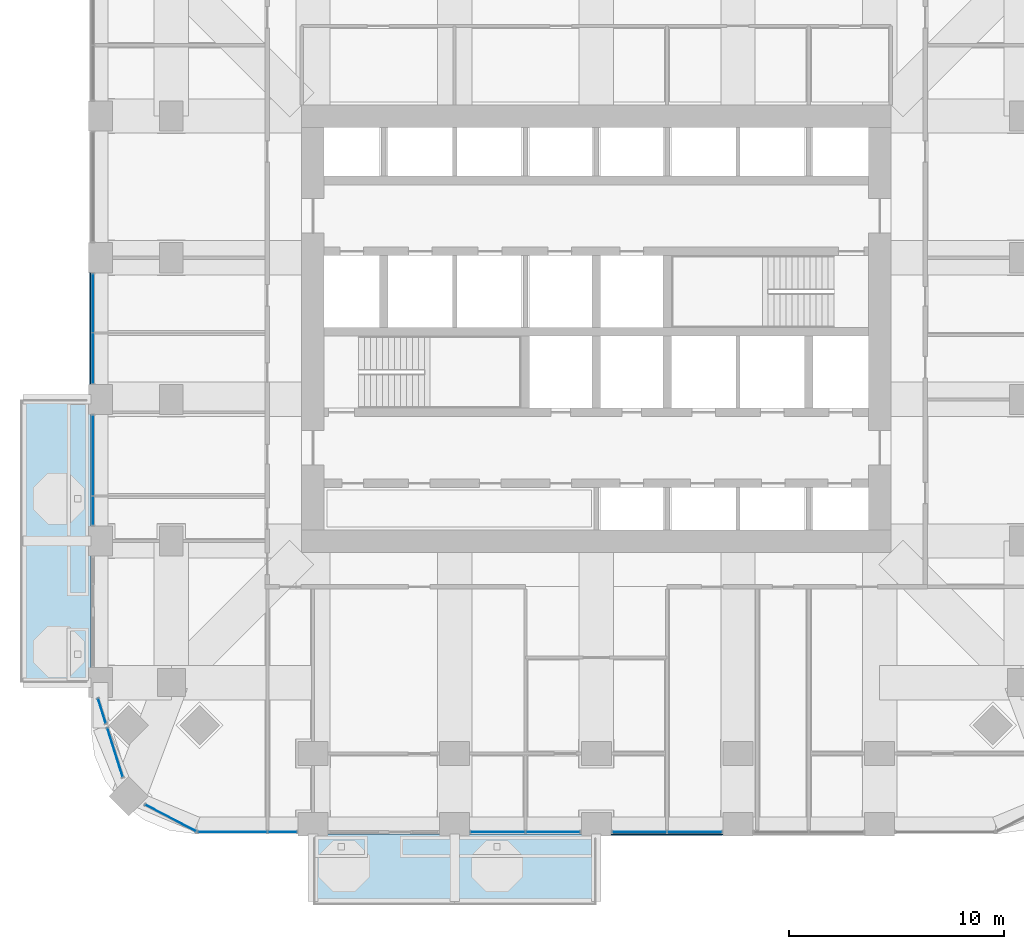
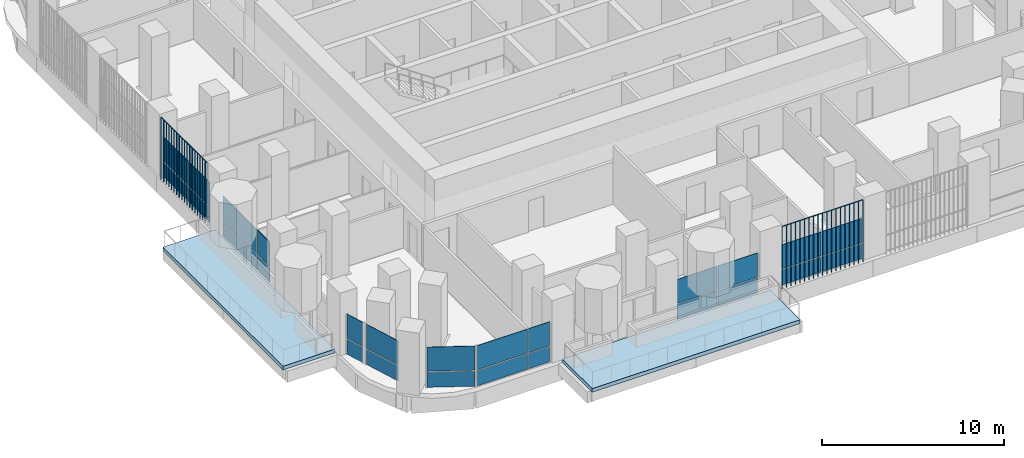
# One storey, part 8 of 21: 28 plates, 2 slabs, 8 elements without a shape of their own.
"""IFC4 building model written with IfcOpenShell, lengths in metres."""

from ifc_helpers import new_model, si_unit, direction, frame, origin, origin_2d, place, context, subcontext, project, spatial, polyline, rectangle, outline, extrude, material, layer, layer_set, type_object, element, aggregate, save


model = new_model("IFC4")

# Units and contexts
model_context = context("Model", 3, precision=1e-05, world=origin(), true_north=direction((0.0, 1.0)))
body_context = subcontext(model_context, "Body", "Model", "MODEL_VIEW")
ifc_project = project(units=[si_unit("LENGTHUNIT", "METRE"), si_unit("AREAUNIT", "SQUARE_METRE"), si_unit("VOLUMEUNIT", "CUBIC_METRE"), si_unit("PLANEANGLEUNIT", "RADIAN"), si_unit("MASSUNIT", "GRAM", prefix="KILO")], contexts=[model_context])

# Site, building, storey
site_placement = place(None, origin())
site = spatial("IfcSite", under=ifc_project, at=site_placement, CompositionType="ELEMENT")
building_placement = place(site_placement, origin())
building = spatial("IfcBuilding", under=site, at=building_placement, Name="Cobogo Forest Laboratory Tower", CompositionType="ELEMENT")
storey_placement = place(building_placement, frame((0.0, 0.0, 132.60009765625)))
storey = spatial("IfcBuildingStorey", under=building, at=storey_placement, Name="L30", CompositionType="ELEMENT", Elevation=132.60009765625)

# Slabs
ifc_material_1 = material(Name="Concrete HA-40 (C40/50)", Category="concrete")
ifc_layer_1 = layer(ifc_material_1, 0.25)
ifc_layer_set_1 = layer_set([ifc_layer_1], Name="Balcony slab 250")
slab_type = type_object("IfcSlabType", Name="Balcony slab 250", PredefinedType="FLOOR", material=ifc_layer_set_1)
slab_1_placement = place(storey_placement, frame((0.0, 0.0, -0.25)))
element("IfcSlab", 1, at=slab_1_placement, inside=storey, type_object=slab_type, Name="Balcony BAL-S1 L30", PredefinedType="FLOOR", context=body_context, shape_type="SweptSolid", body=[
    extrude(outline(polyline([(13.199951171875, -3.75), (26.39990234375, -3.75), (26.39990234375, -0.449951171875), (13.199951171875, -0.449951171875), (13.199951171875, -3.75)])), origin(), (0.0, 0.0, 1.0), 0.25),
])
slab_2_placement = place(storey_placement, frame((0.0, 0.0, -0.25)))
element("IfcSlab", 2, at=slab_2_placement, inside=storey, type_object=slab_type, Name="Balcony BAL-W1 L30", PredefinedType="FLOOR", context=body_context, shape_type="SweptSolid", body=[
    extrude(outline(polyline([(-0.449951171875, 6.60009765625), (2.85009765625, 6.60009765625), (2.85009765625, 19.800048828125), (-0.449951171875, 19.800048828125), (-0.449951171875, 6.60009765625)])), origin(), (0.0, 0.0, 1.0), 0.25),
])

# Curtain wall, plates
ifc_material_2 = material(Name="Aluminium curtain wall", Category="aluminium")
curtain_wall_type = type_object("IfcCurtainWallType", Name="CW-1 unitised curtain wall, clear glazing, laboratory floors zones A and B", PredefinedType="USERDEFINED", material=ifc_material_2)
curtain_wall_1_placement = place(storey_placement, origin())
curtain_wall_1 = element("IfcCurtainWall", 3, at=curtain_wall_1_placement, inside=storey, type_object=curtain_wall_type, Name="Curtain wall 01 L30", ObjectType="UNITISED CURTAIN WALL", PredefinedType="USERDEFINED")
ifc_material_3 = material(Name="Clear insulated glass", Category="glass")
ifc_layer_2 = layer(ifc_material_3, 0.028076171875)
ifc_layer_set_2 = layer_set([ifc_layer_2], Name="GP-1 clear insulated glass unit 28")
plate_type_1 = type_object("IfcPlateType", Name="GP-1 clear insulated glass unit 28", PredefinedType="CURTAIN_PANEL", material=ifc_layer_set_2)
plate_1_placement = place(storey_placement, frame((9.452392578125, -0.35009765625, 0.0), z_axis=(0.0, 0.0, 1.0), x_axis=(1.0, 0.0, 0.0)))
plate_1 = element("IfcPlate", 4, at=plate_1_placement, type_object=plate_type_1, Name="CW-1 panel 1.1", PredefinedType="CURTAIN_PANEL", context=body_context, shape_type="SweptSolid", body=[
    extrude(rectangle(XDim=3.18505859375, YDim=0.028076171875, at=origin_2d()), origin(), (0.0, 0.0, 1.0), 1.02001953125),
])
plate_2_placement = place(storey_placement, frame((9.452392578125, -0.35009765625, 1.079833984375), z_axis=(0.0, 0.0, 1.0), x_axis=(1.0, 0.0, 0.0)))
plate_2 = element("IfcPlate", 5, at=plate_2_placement, type_object=plate_type_1, Name="CW-1 panel 1.2", PredefinedType="CURTAIN_PANEL", context=body_context, shape_type="SweptSolid", body=[
    extrude(rectangle(XDim=3.18505859375, YDim=0.028076171875, at=origin_2d()), origin(), (0.0, 0.0, 1.0), 1.6201171875),
])
plate_3_placement = place(storey_placement, frame((11.7724609375, -0.35009765625, 0.0), z_axis=(0.0, 0.0, 1.0), x_axis=(1.0, 0.0, 0.0)))
plate_3 = element("IfcPlate", 6, at=plate_3_placement, type_object=plate_type_1, Name="CW-1 panel 2.1", PredefinedType="CURTAIN_PANEL", context=body_context, shape_type="SweptSolid", body=[
    extrude(rectangle(XDim=1.3349609375, YDim=0.028076171875, at=origin_2d()), origin(), (0.0, 0.0, 1.0), 1.02001953125),
])
plate_4_placement = place(storey_placement, frame((11.7724609375, -0.35009765625, 1.079833984375), z_axis=(0.0, 0.0, 1.0), x_axis=(1.0, 0.0, 0.0)))
plate_4 = element("IfcPlate", 7, at=plate_4_placement, type_object=plate_type_1, Name="CW-1 panel 2.2", PredefinedType="CURTAIN_PANEL", context=body_context, shape_type="SweptSolid", body=[
    extrude(rectangle(XDim=1.3349609375, YDim=0.028076171875, at=origin_2d()), origin(), (0.0, 0.0, 1.0), 1.6201171875),
])
aggregate(curtain_wall_1, [plate_1, plate_2, plate_3, plate_4])

curtain_wall_2_placement = place(storey_placement, origin())
curtain_wall_2 = element("IfcCurtainWall", 8, at=curtain_wall_2_placement, inside=storey, type_object=curtain_wall_type, Name="Curtain wall 03 L30", ObjectType="UNITISED CURTAIN WALL", PredefinedType="USERDEFINED")
plate_5_placement = place(storey_placement, frame((21.81494140625, -0.35009765625, 0.0), z_axis=(0.0, 0.0, 1.0), x_axis=(1.0, 0.0, 0.0)))
plate_5 = element("IfcPlate", 9, at=plate_5_placement, type_object=plate_type_1, Name="CW-1 panel 1.1", PredefinedType="CURTAIN_PANEL", context=body_context, shape_type="SweptSolid", body=[
    extrude(rectangle(XDim=2.510009765625, YDim=0.028076171875, at=origin_2d()), origin(), (0.0, 0.0, 1.0), 1.02001953125),
])
plate_6_placement = place(storey_placement, frame((21.81494140625, -0.35009765625, 1.079833984375), z_axis=(0.0, 0.0, 1.0), x_axis=(1.0, 0.0, 0.0)))
plate_6 = element("IfcPlate", 10, at=plate_6_placement, type_object=plate_type_1, Name="CW-1 panel 1.2", PredefinedType="CURTAIN_PANEL", context=body_context, shape_type="SweptSolid", body=[
    extrude(rectangle(XDim=2.510009765625, YDim=0.028076171875, at=origin_2d()), origin(), (0.0, 0.0, 1.0), 1.6201171875),
])
plate_7_placement = place(storey_placement, frame((24.385009765625, -0.35009765625, 0.0), z_axis=(0.0, 0.0, 1.0), x_axis=(1.0, 0.0, 0.0)))
plate_7 = element("IfcPlate", 11, at=plate_7_placement, type_object=plate_type_1, Name="CW-1 panel 2.1", PredefinedType="CURTAIN_PANEL", context=body_context, shape_type="SweptSolid", body=[
    extrude(rectangle(XDim=2.510009765625, YDim=0.028076171875, at=origin_2d()), origin(), (0.0, 0.0, 1.0), 1.02001953125),
])
plate_8_placement = place(storey_placement, frame((24.385009765625, -0.35009765625, 1.079833984375), z_axis=(0.0, 0.0, 1.0), x_axis=(1.0, 0.0, 0.0)))
plate_8 = element("IfcPlate", 12, at=plate_8_placement, type_object=plate_type_1, Name="CW-1 panel 2.2", PredefinedType="CURTAIN_PANEL", context=body_context, shape_type="SweptSolid", body=[
    extrude(rectangle(XDim=2.510009765625, YDim=0.028076171875, at=origin_2d()), origin(), (0.0, 0.0, 1.0), 1.6201171875),
])
aggregate(curtain_wall_2, [plate_5, plate_6, plate_7, plate_8])

curtain_wall_3_placement = place(storey_placement, origin())
curtain_wall_3 = element("IfcCurtainWall", 13, at=curtain_wall_3_placement, inside=storey, type_object=curtain_wall_type, Name="Curtain wall 04 L30", ObjectType="UNITISED CURTAIN WALL", PredefinedType="USERDEFINED")
plate_9_placement = place(storey_placement, frame((28.4150390625, -0.35009765625, 0.0), z_axis=(0.0, 0.0, 1.0), x_axis=(1.0, 0.0, 0.0)))
plate_9 = element("IfcPlate", 14, at=plate_9_placement, type_object=plate_type_1, Name="CW-1 panel 1.1", PredefinedType="CURTAIN_PANEL", context=body_context, shape_type="SweptSolid", body=[
    extrude(rectangle(XDim=2.510009765625, YDim=0.028076171875, at=origin_2d()), origin(), (0.0, 0.0, 1.0), 1.02001953125),
])
plate_10_placement = place(storey_placement, frame((28.4150390625, -0.35009765625, 1.079833984375), z_axis=(0.0, 0.0, 1.0), x_axis=(1.0, 0.0, 0.0)))
plate_10 = element("IfcPlate", 15, at=plate_10_placement, type_object=plate_type_1, Name="CW-1 panel 1.2", PredefinedType="CURTAIN_PANEL", context=body_context, shape_type="SweptSolid", body=[
    extrude(rectangle(XDim=2.510009765625, YDim=0.028076171875, at=origin_2d()), origin(), (0.0, 0.0, 1.0), 1.6201171875),
])
plate_11_placement = place(storey_placement, frame((30.985107421875, -0.35009765625, 0.0), z_axis=(0.0, 0.0, 1.0), x_axis=(1.0, 0.0, 0.0)))
plate_11 = element("IfcPlate", 16, at=plate_11_placement, type_object=plate_type_1, Name="CW-1 panel 2.1", PredefinedType="CURTAIN_PANEL", context=body_context, shape_type="SweptSolid", body=[
    extrude(rectangle(XDim=2.510009765625, YDim=0.028076171875, at=origin_2d()), origin(), (0.0, 0.0, 1.0), 1.02001953125),
])
plate_12_placement = place(storey_placement, frame((30.985107421875, -0.35009765625, 1.079833984375), z_axis=(0.0, 0.0, 1.0), x_axis=(1.0, 0.0, 0.0)))
plate_12 = element("IfcPlate", 17, at=plate_12_placement, type_object=plate_type_1, Name="CW-1 panel 2.2", PredefinedType="CURTAIN_PANEL", context=body_context, shape_type="SweptSolid", body=[
    extrude(rectangle(XDim=2.510009765625, YDim=0.028076171875, at=origin_2d()), origin(), (0.0, 0.0, 1.0), 1.6201171875),
])
aggregate(curtain_wall_3, [plate_9, plate_10, plate_11, plate_12])

curtain_wall_4_placement = place(storey_placement, origin())
curtain_wall_4 = element("IfcCurtainWall", 18, at=curtain_wall_4_placement, inside=storey, type_object=curtain_wall_type, Name="Curtain wall 29 L30", ObjectType="UNITISED CURTAIN WALL", PredefinedType="USERDEFINED")
plate_13_placement = place(storey_placement, frame((2.949951171875, 24.284912109375, 0.0), z_axis=(0.0, 0.0, 1.0), x_axis=(0.0, -1.0, 0.0)))
plate_13 = element("IfcPlate", 19, at=plate_13_placement, type_object=plate_type_1, Name="CW-1 panel 1.1", PredefinedType="CURTAIN_PANEL", context=body_context, shape_type="SweptSolid", body=[
    extrude(rectangle(XDim=2.7099609375, YDim=0.028076171875, at=origin_2d()), origin(), (0.0, 0.0, 1.0), 1.02001953125),
])
plate_14_placement = place(storey_placement, frame((2.949951171875, 24.284912109375, 1.079833984375), z_axis=(0.0, 0.0, 1.0), x_axis=(0.0, -1.0, 0.0)))
plate_14 = element("IfcPlate", 20, at=plate_14_placement, type_object=plate_type_1, Name="CW-1 panel 1.2", PredefinedType="CURTAIN_PANEL", context=body_context, shape_type="SweptSolid", body=[
    extrude(rectangle(XDim=2.7099609375, YDim=0.028076171875, at=origin_2d()), origin(), (0.0, 0.0, 1.0), 1.6201171875),
])
plate_15_placement = place(storey_placement, frame((2.949951171875, 21.715087890625, 0.0), z_axis=(0.0, 0.0, 1.0), x_axis=(0.0, -1.0, 0.0)))
plate_15 = element("IfcPlate", 21, at=plate_15_placement, type_object=plate_type_1, Name="CW-1 panel 2.1", PredefinedType="CURTAIN_PANEL", context=body_context, shape_type="SweptSolid", body=[
    extrude(rectangle(XDim=2.31005859375, YDim=0.028076171875, at=origin_2d()), origin(), (0.0, 0.0, 1.0), 1.02001953125),
])
plate_16_placement = place(storey_placement, frame((2.949951171875, 21.715087890625, 1.079833984375), z_axis=(0.0, 0.0, 1.0), x_axis=(0.0, -1.0, 0.0)))
plate_16 = element("IfcPlate", 22, at=plate_16_placement, type_object=plate_type_1, Name="CW-1 panel 2.2", PredefinedType="CURTAIN_PANEL", context=body_context, shape_type="SweptSolid", body=[
    extrude(rectangle(XDim=2.31005859375, YDim=0.028076171875, at=origin_2d()), origin(), (0.0, 0.0, 1.0), 1.6201171875),
])
aggregate(curtain_wall_4, [plate_13, plate_14, plate_15, plate_16])

curtain_wall_5_placement = place(storey_placement, origin())
curtain_wall_5 = element("IfcCurtainWall", 23, at=curtain_wall_5_placement, inside=storey, type_object=curtain_wall_type, Name="Curtain wall 30 L30", ObjectType="UNITISED CURTAIN WALL", PredefinedType="USERDEFINED")
plate_17_placement = place(storey_placement, frame((2.949951171875, 17.18505859375, 0.0), z_axis=(0.0, 0.0, 1.0), x_axis=(0.0, -1.0, 0.0)))
plate_17 = element("IfcPlate", 24, at=plate_17_placement, type_object=plate_type_1, Name="CW-1 panel 1.1", PredefinedType="CURTAIN_PANEL", context=body_context, shape_type="SweptSolid", body=[
    extrude(rectangle(XDim=3.7099609375, YDim=0.028076171875, at=origin_2d()), origin(), (0.0, 0.0, 1.0), 1.02001953125),
])
plate_18_placement = place(storey_placement, frame((2.949951171875, 17.18505859375, 1.079833984375), z_axis=(0.0, 0.0, 1.0), x_axis=(0.0, -1.0, 0.0)))
plate_18 = element("IfcPlate", 25, at=plate_18_placement, type_object=plate_type_1, Name="CW-1 panel 1.2", PredefinedType="CURTAIN_PANEL", context=body_context, shape_type="SweptSolid", body=[
    extrude(rectangle(XDim=3.7099609375, YDim=0.028076171875, at=origin_2d()), origin(), (0.0, 0.0, 1.0), 1.6201171875),
])
plate_19_placement = place(storey_placement, frame((2.949951171875, 14.614990234375, 0.0), z_axis=(0.0, 0.0, 1.0), x_axis=(0.0, -1.0, 0.0)))
plate_19 = element("IfcPlate", 26, at=plate_19_placement, type_object=plate_type_1, Name="CW-1 panel 2.1", PredefinedType="CURTAIN_PANEL", context=body_context, shape_type="SweptSolid", body=[
    extrude(rectangle(XDim=1.31005859375, YDim=0.028076171875, at=origin_2d()), origin(), (0.0, 0.0, 1.0), 1.02001953125),
])
plate_20_placement = place(storey_placement, frame((2.949951171875, 14.614990234375, 1.079833984375), z_axis=(0.0, 0.0, 1.0), x_axis=(0.0, -1.0, 0.0)))
plate_20 = element("IfcPlate", 27, at=plate_20_placement, type_object=plate_type_1, Name="CW-1 panel 2.2", PredefinedType="CURTAIN_PANEL", context=body_context, shape_type="SweptSolid", body=[
    extrude(rectangle(XDim=1.31005859375, YDim=0.028076171875, at=origin_2d()), origin(), (0.0, 0.0, 1.0), 1.6201171875),
])
aggregate(curtain_wall_5, [plate_17, plate_18, plate_19, plate_20])

curtain_wall_6_placement = place(storey_placement, origin())
curtain_wall_6 = element("IfcCurtainWall", 28, at=curtain_wall_6_placement, inside=storey, type_object=curtain_wall_type, Name="Curtain wall 32 L30", ObjectType="UNITISED CURTAIN WALL", PredefinedType="USERDEFINED")
plate_21_placement = place(storey_placement, frame((3.3662109375, 5.2822265625, 0.0), z_axis=(0.0, 0.0, 1.0), x_axis=(0.301135356805, -0.953581405483, 0.0)))
plate_21 = element("IfcPlate", 29, at=plate_21_placement, type_object=plate_type_1, Name="CW-1 panel 1.1", PredefinedType="CURTAIN_PANEL", context=body_context, shape_type="SweptSolid", body=[
    extrude(rectangle(XDim=1.17578125, YDim=0.028076171875, at=origin_2d()), origin(), (0.0, 0.0, 1.0), 1.02001953125),
])
plate_22_placement = place(storey_placement, frame((3.3662109375, 5.2822265625, 1.079833984375), z_axis=(0.0, 0.0, 1.0), x_axis=(0.301135356805, -0.953581405483, 0.0)))
plate_22 = element("IfcPlate", 30, at=plate_22_placement, type_object=plate_type_1, Name="CW-1 panel 1.2", PredefinedType="CURTAIN_PANEL", context=body_context, shape_type="SweptSolid", body=[
    extrude(rectangle(XDim=1.17578125, YDim=0.028076171875, at=origin_2d()), origin(), (0.0, 0.0, 1.0), 1.6201171875),
])
aggregate(curtain_wall_6, [plate_21, plate_22])

curtain_wall_7_placement = place(storey_placement, origin())
curtain_wall_7 = element("IfcCurtainWall", 31, at=curtain_wall_7_placement, inside=storey, type_object=curtain_wall_type, Name="Curtain wall 33 L30", ObjectType="UNITISED CURTAIN WALL", PredefinedType="USERDEFINED")
plate_23_placement = place(storey_placement, frame((3.978759765625, 3.342529296875, 0.0), z_axis=(0.0, 0.0, 1.0), x_axis=(0.301135291996, -0.953581425949, 0.0)))
plate_23 = element("IfcPlate", 32, at=plate_23_placement, type_object=plate_type_1, Name="CW-1 panel 1.1", PredefinedType="CURTAIN_PANEL", context=body_context, shape_type="SweptSolid", body=[
    extrude(rectangle(XDim=2.3681640625, YDim=0.028076171875, at=origin_2d()), origin(), (0.0, 0.0, 1.0), 1.02001953125),
])
plate_24_placement = place(storey_placement, frame((3.978759765625, 3.342529296875, 1.079833984375), z_axis=(0.0, 0.0, 1.0), x_axis=(0.301135291996, -0.953581425949, 0.0)))
plate_24 = element("IfcPlate", 33, at=plate_24_placement, type_object=plate_type_1, Name="CW-1 panel 1.2", PredefinedType="CURTAIN_PANEL", context=body_context, shape_type="SweptSolid", body=[
    extrude(rectangle(XDim=2.3681640625, YDim=0.028076171875, at=origin_2d()), origin(), (0.0, 0.0, 1.0), 1.6201171875),
])
aggregate(curtain_wall_7, [plate_23, plate_24])

curtain_wall_8_placement = place(storey_placement, origin())
curtain_wall_8 = element("IfcCurtainWall", 34, at=curtain_wall_8_placement, inside=storey, type_object=curtain_wall_type, Name="Curtain wall 34 L30", ObjectType="UNITISED CURTAIN WALL", PredefinedType="USERDEFINED")
plate_25_placement = place(storey_placement, frame((6.57080078125, 0.29443359375, 0.0), z_axis=(0.0, 0.0, 1.0), x_axis=(0.885686547075, -0.464283685186, 0.0)))
plate_25 = element("IfcPlate", 35, at=plate_25_placement, type_object=plate_type_1, Name="CW-1 panel 1.1", PredefinedType="CURTAIN_PANEL", context=body_context, shape_type="SweptSolid", body=[
    extrude(rectangle(XDim=2.655517578125, YDim=0.028076171875, at=origin_2d()), origin(), (0.0, 0.0, 1.0), 1.02001953125),
])
plate_26_placement = place(storey_placement, frame((6.57080078125, 0.29443359375, 1.079833984375), z_axis=(0.0, 0.0, 1.0), x_axis=(0.885686547075, -0.464283685186, 0.0)))
plate_26 = element("IfcPlate", 36, at=plate_26_placement, type_object=plate_type_1, Name="CW-1 panel 1.2", PredefinedType="CURTAIN_PANEL", context=body_context, shape_type="SweptSolid", body=[
    extrude(rectangle(XDim=2.655517578125, YDim=0.028076171875, at=origin_2d()), origin(), (0.0, 0.0, 1.0), 1.6201171875),
])
aggregate(curtain_wall_8, [plate_25, plate_26])

# Plates
ifc_material_4 = material(Name="Terracotta", Category="masonry")
plate_type_2 = type_object("IfcPlateType", Name="TB1 terracotta baguette screen", PredefinedType="USERDEFINED", material=ifc_material_4)
plate_27_placement = place(storey_placement, frame((27.13134765625, -0.477783203125, -0.150146484375)))
element("IfcPlate", 37, at=plate_27_placement, inside=storey, type_object=plate_type_2, Name="Baguette screen S3 L30", ObjectType="BAGUETTE SCREEN", PredefinedType="USERDEFINED", context=body_context, shape_type="SweptSolid", body=[
    extrude(outline(polyline([(0.02880859375, 0.011962890625), (0.011962890625, 0.02880859375), (-0.011962890625, 0.02880859375), (-0.02880859375, 0.011962890625), (-0.02880859375, -0.011962890625), (-0.011962890625, -0.02880859375), (0.011962890625, -0.02880859375), (0.02880859375, -0.011962890625), (0.02880859375, 0.011962890625)])), frame((0.0, 0.0, 4.168701171875), z_axis=(1.0, 0.0, 0.0), x_axis=(0.0, 1.0, 0.0)), (0.0, 0.0, 1.0), 5.137451171875),
    extrude(outline(polyline([(0.02880859375, 0.011962890625), (0.011962890625, 0.02880859375), (-0.011962890625, 0.02880859375), (-0.02880859375, 0.011962890625), (-0.02880859375, -0.011962890625), (-0.011962890625, -0.02880859375), (0.011962890625, -0.02880859375), (0.02880859375, -0.011962890625), (0.02880859375, 0.011962890625)])), origin(), (0.0, 0.0, 1.0), 4.137451171875),
    extrude(outline(polyline([(0.02880859375, 0.011962890625), (0.011962890625, 0.02880859375), (-0.011962890625, 0.02880859375), (-0.02880859375, 0.011962890625), (-0.02880859375, -0.011962890625), (-0.011962890625, -0.02880859375), (0.011962890625, -0.02880859375), (0.02880859375, -0.011962890625), (0.02880859375, 0.011962890625)])), frame((0.285400390625, 0.0, 0.0)), (0.0, 0.0, 1.0), 4.137451171875),
    extrude(outline(polyline([(0.02880859375, 0.011962890625), (0.011962890625, 0.02880859375), (-0.011962890625, 0.02880859375), (-0.02880859375, 0.011962890625), (-0.02880859375, -0.011962890625), (-0.011962890625, -0.02880859375), (0.011962890625, -0.02880859375), (0.02880859375, -0.011962890625), (0.02880859375, 0.011962890625)])), frame((0.57080078125, 0.0, 0.0)), (0.0, 0.0, 1.0), 4.137451171875),
    extrude(outline(polyline([(0.02880859375, 0.011962890625), (0.011962890625, 0.02880859375), (-0.011962890625, 0.02880859375), (-0.02880859375, 0.011962890625), (-0.02880859375, -0.011962890625), (-0.011962890625, -0.02880859375), (0.011962890625, -0.02880859375), (0.02880859375, -0.011962890625), (0.02880859375, 0.011962890625)])), frame((0.856201171875, 0.0, 0.0)), (0.0, 0.0, 1.0), 4.137451171875),
    extrude(outline(polyline([(0.02880859375, 0.011962890625), (0.011962890625, 0.02880859375), (-0.011962890625, 0.02880859375), (-0.02880859375, 0.011962890625), (-0.02880859375, -0.011962890625), (-0.011962890625, -0.02880859375), (0.011962890625, -0.02880859375), (0.02880859375, -0.011962890625), (0.02880859375, 0.011962890625)])), frame((1.1416015625, 0.0, 0.0)), (0.0, 0.0, 1.0), 4.137451171875),
    extrude(outline(polyline([(0.02880859375, 0.011962890625), (0.011962890625, 0.02880859375), (-0.011962890625, 0.02880859375), (-0.02880859375, 0.011962890625), (-0.02880859375, -0.011962890625), (-0.011962890625, -0.02880859375), (0.011962890625, -0.02880859375), (0.02880859375, -0.011962890625), (0.02880859375, 0.011962890625)])), frame((1.427001953125, 0.0, 0.0)), (0.0, 0.0, 1.0), 4.137451171875),
    extrude(outline(polyline([(0.02880859375, 0.011962890625), (0.011962890625, 0.02880859375), (-0.011962890625, 0.02880859375), (-0.02880859375, 0.011962890625), (-0.02880859375, -0.011962890625), (-0.011962890625, -0.02880859375), (0.011962890625, -0.02880859375), (0.02880859375, -0.011962890625), (0.02880859375, 0.011962890625)])), frame((1.71240234375, 0.0, 0.0)), (0.0, 0.0, 1.0), 4.137451171875),
    extrude(outline(polyline([(0.02880859375, 0.011962890625), (0.011962890625, 0.02880859375), (-0.011962890625, 0.02880859375), (-0.02880859375, 0.011962890625), (-0.02880859375, -0.011962890625), (-0.011962890625, -0.02880859375), (0.011962890625, -0.02880859375), (0.02880859375, -0.011962890625), (0.02880859375, 0.011962890625)])), frame((1.997802734375, 0.0, 0.0)), (0.0, 0.0, 1.0), 4.137451171875),
    extrude(outline(polyline([(0.02880859375, 0.011962890625), (0.011962890625, 0.02880859375), (-0.011962890625, 0.02880859375), (-0.02880859375, 0.011962890625), (-0.02880859375, -0.011962890625), (-0.011962890625, -0.02880859375), (0.011962890625, -0.02880859375), (0.02880859375, -0.011962890625), (0.02880859375, 0.011962890625)])), frame((2.283203125, 0.0, 0.0)), (0.0, 0.0, 1.0), 4.137451171875),
    extrude(outline(polyline([(0.02880859375, 0.011962890625), (0.011962890625, 0.02880859375), (-0.011962890625, 0.02880859375), (-0.02880859375, 0.011962890625), (-0.02880859375, -0.011962890625), (-0.011962890625, -0.02880859375), (0.011962890625, -0.02880859375), (0.02880859375, -0.011962890625), (0.02880859375, 0.011962890625)])), frame((2.56884765625, 0.0, 0.0)), (0.0, 0.0, 1.0), 4.137451171875),
    extrude(outline(polyline([(0.02880859375, 0.011962890625), (0.011962890625, 0.02880859375), (-0.011962890625, 0.02880859375), (-0.02880859375, 0.011962890625), (-0.02880859375, -0.011962890625), (-0.011962890625, -0.02880859375), (0.011962890625, -0.02880859375), (0.02880859375, -0.011962890625), (0.02880859375, 0.011962890625)])), frame((2.854248046875, 0.0, 0.0)), (0.0, 0.0, 1.0), 4.137451171875),
    extrude(outline(polyline([(0.02880859375, 0.011962890625), (0.011962890625, 0.02880859375), (-0.011962890625, 0.02880859375), (-0.02880859375, 0.011962890625), (-0.02880859375, -0.011962890625), (-0.011962890625, -0.02880859375), (0.011962890625, -0.02880859375), (0.02880859375, -0.011962890625), (0.02880859375, 0.011962890625)])), frame((3.1396484375, 0.0, 0.0)), (0.0, 0.0, 1.0), 4.137451171875),
    extrude(outline(polyline([(0.02880859375, 0.011962890625), (0.011962890625, 0.02880859375), (-0.011962890625, 0.02880859375), (-0.02880859375, 0.011962890625), (-0.02880859375, -0.011962890625), (-0.011962890625, -0.02880859375), (0.011962890625, -0.02880859375), (0.02880859375, -0.011962890625), (0.02880859375, 0.011962890625)])), frame((3.425048828125, 0.0, 0.0)), (0.0, 0.0, 1.0), 4.137451171875),
    extrude(outline(polyline([(0.02880859375, 0.011962890625), (0.011962890625, 0.02880859375), (-0.011962890625, 0.02880859375), (-0.02880859375, 0.011962890625), (-0.02880859375, -0.011962890625), (-0.011962890625, -0.02880859375), (0.011962890625, -0.02880859375), (0.02880859375, -0.011962890625), (0.02880859375, 0.011962890625)])), frame((3.71044921875, 0.0, 0.0)), (0.0, 0.0, 1.0), 4.137451171875),
    extrude(outline(polyline([(0.02880859375, 0.011962890625), (0.011962890625, 0.02880859375), (-0.011962890625, 0.02880859375), (-0.02880859375, 0.011962890625), (-0.02880859375, -0.011962890625), (-0.011962890625, -0.02880859375), (0.011962890625, -0.02880859375), (0.02880859375, -0.011962890625), (0.02880859375, 0.011962890625)])), frame((3.995849609375, 0.0, 0.0)), (0.0, 0.0, 1.0), 4.137451171875),
    extrude(outline(polyline([(0.02880859375, 0.011962890625), (0.011962890625, 0.02880859375), (-0.011962890625, 0.02880859375), (-0.02880859375, 0.011962890625), (-0.02880859375, -0.011962890625), (-0.011962890625, -0.02880859375), (0.011962890625, -0.02880859375), (0.02880859375, -0.011962890625), (0.02880859375, 0.011962890625)])), frame((4.28125, 0.0, 0.0)), (0.0, 0.0, 1.0), 4.137451171875),
    extrude(outline(polyline([(0.02880859375, 0.011962890625), (0.011962890625, 0.02880859375), (-0.011962890625, 0.02880859375), (-0.02880859375, 0.011962890625), (-0.02880859375, -0.011962890625), (-0.011962890625, -0.02880859375), (0.011962890625, -0.02880859375), (0.02880859375, -0.011962890625), (0.02880859375, 0.011962890625)])), frame((4.566650390625, 0.0, 0.0)), (0.0, 0.0, 1.0), 4.137451171875),
    extrude(outline(polyline([(0.02880859375, 0.011962890625), (0.011962890625, 0.02880859375), (-0.011962890625, 0.02880859375), (-0.02880859375, 0.011962890625), (-0.02880859375, -0.011962890625), (-0.011962890625, -0.02880859375), (0.011962890625, -0.02880859375), (0.02880859375, -0.011962890625), (0.02880859375, 0.011962890625)])), frame((4.85205078125, 0.0, 0.0)), (0.0, 0.0, 1.0), 4.137451171875),
    extrude(outline(polyline([(0.02880859375, 0.011962890625), (0.011962890625, 0.02880859375), (-0.011962890625, 0.02880859375), (-0.02880859375, 0.011962890625), (-0.02880859375, -0.011962890625), (-0.011962890625, -0.02880859375), (0.011962890625, -0.02880859375), (0.02880859375, -0.011962890625), (0.02880859375, 0.011962890625)])), frame((5.137451171875, 0.0, 0.0)), (0.0, 0.0, 1.0), 4.137451171875),
])
plate_28_placement = place(storey_placement, frame((2.822021484375, 20.53125, -0.150146484375)))
element("IfcPlate", 38, at=plate_28_placement, inside=storey, type_object=plate_type_2, Name="Baguette screen W3 L30", ObjectType="BAGUETTE SCREEN", PredefinedType="USERDEFINED", context=body_context, shape_type="SweptSolid", body=[
    extrude(outline(polyline([(0.02880859375, 0.011962890625), (0.011962890625, 0.02880859375), (-0.011962890625, 0.02880859375), (-0.02880859375, 0.011962890625), (-0.02880859375, -0.011962890625), (-0.011962890625, -0.02880859375), (0.011962890625, -0.02880859375), (0.02880859375, -0.011962890625), (0.02880859375, 0.011962890625)])), frame((0.0, 0.0, 4.168701171875), z_axis=(0.0, 1.0, 0.0), x_axis=(-1.0, 0.0, 0.0)), (0.0, 0.0, 1.0), 5.137451171875),
    extrude(outline(polyline([(0.02880859375, 0.011962890625), (0.011962890625, 0.02880859375), (-0.011962890625, 0.02880859375), (-0.02880859375, 0.011962890625), (-0.02880859375, -0.011962890625), (-0.011962890625, -0.02880859375), (0.011962890625, -0.02880859375), (0.02880859375, -0.011962890625), (0.02880859375, 0.011962890625)])), origin(), (0.0, 0.0, 1.0), 4.137451171875),
    extrude(outline(polyline([(0.02880859375, 0.011962890625), (0.011962890625, 0.02880859375), (-0.011962890625, 0.02880859375), (-0.02880859375, 0.011962890625), (-0.02880859375, -0.011962890625), (-0.011962890625, -0.02880859375), (0.011962890625, -0.02880859375), (0.02880859375, -0.011962890625), (0.02880859375, 0.011962890625)])), frame((0.0, 0.285400390625, 0.0)), (0.0, 0.0, 1.0), 4.137451171875),
    extrude(outline(polyline([(0.02880859375, 0.011962890625), (0.011962890625, 0.02880859375), (-0.011962890625, 0.02880859375), (-0.02880859375, 0.011962890625), (-0.02880859375, -0.011962890625), (-0.011962890625, -0.02880859375), (0.011962890625, -0.02880859375), (0.02880859375, -0.011962890625), (0.02880859375, 0.011962890625)])), frame((0.0, 0.57080078125, 0.0)), (0.0, 0.0, 1.0), 4.137451171875),
    extrude(outline(polyline([(0.02880859375, 0.011962890625), (0.011962890625, 0.02880859375), (-0.011962890625, 0.02880859375), (-0.02880859375, 0.011962890625), (-0.02880859375, -0.011962890625), (-0.011962890625, -0.02880859375), (0.011962890625, -0.02880859375), (0.02880859375, -0.011962890625), (0.02880859375, 0.011962890625)])), frame((0.0, 0.856201171875, 0.0)), (0.0, 0.0, 1.0), 4.137451171875),
    extrude(outline(polyline([(0.02880859375, 0.011962890625), (0.011962890625, 0.02880859375), (-0.011962890625, 0.02880859375), (-0.02880859375, 0.011962890625), (-0.02880859375, -0.011962890625), (-0.011962890625, -0.02880859375), (0.011962890625, -0.02880859375), (0.02880859375, -0.011962890625), (0.02880859375, 0.011962890625)])), frame((0.0, 1.1416015625, 0.0)), (0.0, 0.0, 1.0), 4.137451171875),
    extrude(outline(polyline([(0.02880859375, 0.011962890625), (0.011962890625, 0.02880859375), (-0.011962890625, 0.02880859375), (-0.02880859375, 0.011962890625), (-0.02880859375, -0.011962890625), (-0.011962890625, -0.02880859375), (0.011962890625, -0.02880859375), (0.02880859375, -0.011962890625), (0.02880859375, 0.011962890625)])), frame((0.0, 1.427001953125, 0.0)), (0.0, 0.0, 1.0), 4.137451171875),
    extrude(outline(polyline([(0.02880859375, 0.011962890625), (0.011962890625, 0.02880859375), (-0.011962890625, 0.02880859375), (-0.02880859375, 0.011962890625), (-0.02880859375, -0.011962890625), (-0.011962890625, -0.02880859375), (0.011962890625, -0.02880859375), (0.02880859375, -0.011962890625), (0.02880859375, 0.011962890625)])), frame((0.0, 1.71240234375, 0.0)), (0.0, 0.0, 1.0), 4.137451171875),
    extrude(outline(polyline([(0.02880859375, 0.011962890625), (0.011962890625, 0.02880859375), (-0.011962890625, 0.02880859375), (-0.02880859375, 0.011962890625), (-0.02880859375, -0.011962890625), (-0.011962890625, -0.02880859375), (0.011962890625, -0.02880859375), (0.02880859375, -0.011962890625), (0.02880859375, 0.011962890625)])), frame((0.0, 1.997802734375, 0.0)), (0.0, 0.0, 1.0), 4.137451171875),
    extrude(outline(polyline([(0.02880859375, 0.011962890625), (0.011962890625, 0.02880859375), (-0.011962890625, 0.02880859375), (-0.02880859375, 0.011962890625), (-0.02880859375, -0.011962890625), (-0.011962890625, -0.02880859375), (0.011962890625, -0.02880859375), (0.02880859375, -0.011962890625), (0.02880859375, 0.011962890625)])), frame((0.0, 2.283203125, 0.0)), (0.0, 0.0, 1.0), 4.137451171875),
    extrude(outline(polyline([(0.02880859375, 0.011962890625), (0.011962890625, 0.02880859375), (-0.011962890625, 0.02880859375), (-0.02880859375, 0.011962890625), (-0.02880859375, -0.011962890625), (-0.011962890625, -0.02880859375), (0.011962890625, -0.02880859375), (0.02880859375, -0.011962890625), (0.02880859375, 0.011962890625)])), frame((0.0, 2.56884765625, 0.0)), (0.0, 0.0, 1.0), 4.137451171875),
    extrude(outline(polyline([(0.02880859375, 0.011962890625), (0.011962890625, 0.02880859375), (-0.011962890625, 0.02880859375), (-0.02880859375, 0.011962890625), (-0.02880859375, -0.011962890625), (-0.011962890625, -0.02880859375), (0.011962890625, -0.02880859375), (0.02880859375, -0.011962890625), (0.02880859375, 0.011962890625)])), frame((0.0, 2.854248046875, 0.0)), (0.0, 0.0, 1.0), 4.137451171875),
    extrude(outline(polyline([(0.02880859375, 0.011962890625), (0.011962890625, 0.02880859375), (-0.011962890625, 0.02880859375), (-0.02880859375, 0.011962890625), (-0.02880859375, -0.011962890625), (-0.011962890625, -0.02880859375), (0.011962890625, -0.02880859375), (0.02880859375, -0.011962890625), (0.02880859375, 0.011962890625)])), frame((0.0, 3.1396484375, 0.0)), (0.0, 0.0, 1.0), 4.137451171875),
    extrude(outline(polyline([(0.02880859375, 0.011962890625), (0.011962890625, 0.02880859375), (-0.011962890625, 0.02880859375), (-0.02880859375, 0.011962890625), (-0.02880859375, -0.011962890625), (-0.011962890625, -0.02880859375), (0.011962890625, -0.02880859375), (0.02880859375, -0.011962890625), (0.02880859375, 0.011962890625)])), frame((0.0, 3.425048828125, 0.0)), (0.0, 0.0, 1.0), 4.137451171875),
    extrude(outline(polyline([(0.02880859375, 0.011962890625), (0.011962890625, 0.02880859375), (-0.011962890625, 0.02880859375), (-0.02880859375, 0.011962890625), (-0.02880859375, -0.011962890625), (-0.011962890625, -0.02880859375), (0.011962890625, -0.02880859375), (0.02880859375, -0.011962890625), (0.02880859375, 0.011962890625)])), frame((0.0, 3.71044921875, 0.0)), (0.0, 0.0, 1.0), 4.137451171875),
    extrude(outline(polyline([(0.02880859375, 0.011962890625), (0.011962890625, 0.02880859375), (-0.011962890625, 0.02880859375), (-0.02880859375, 0.011962890625), (-0.02880859375, -0.011962890625), (-0.011962890625, -0.02880859375), (0.011962890625, -0.02880859375), (0.02880859375, -0.011962890625), (0.02880859375, 0.011962890625)])), frame((0.0, 3.995849609375, 0.0)), (0.0, 0.0, 1.0), 4.137451171875),
    extrude(outline(polyline([(0.02880859375, 0.011962890625), (0.011962890625, 0.02880859375), (-0.011962890625, 0.02880859375), (-0.02880859375, 0.011962890625), (-0.02880859375, -0.011962890625), (-0.011962890625, -0.02880859375), (0.011962890625, -0.02880859375), (0.02880859375, -0.011962890625), (0.02880859375, 0.011962890625)])), frame((0.0, 4.28125, 0.0)), (0.0, 0.0, 1.0), 4.137451171875),
    extrude(outline(polyline([(0.02880859375, 0.011962890625), (0.011962890625, 0.02880859375), (-0.011962890625, 0.02880859375), (-0.02880859375, 0.011962890625), (-0.02880859375, -0.011962890625), (-0.011962890625, -0.02880859375), (0.011962890625, -0.02880859375), (0.02880859375, -0.011962890625), (0.02880859375, 0.011962890625)])), frame((0.0, 4.566650390625, 0.0)), (0.0, 0.0, 1.0), 4.137451171875),
    extrude(outline(polyline([(0.02880859375, 0.011962890625), (0.011962890625, 0.02880859375), (-0.011962890625, 0.02880859375), (-0.02880859375, 0.011962890625), (-0.02880859375, -0.011962890625), (-0.011962890625, -0.02880859375), (0.011962890625, -0.02880859375), (0.02880859375, -0.011962890625), (0.02880859375, 0.011962890625)])), frame((0.0, 4.85205078125, 0.0)), (0.0, 0.0, 1.0), 4.137451171875),
    extrude(outline(polyline([(0.02880859375, 0.011962890625), (0.011962890625, 0.02880859375), (-0.011962890625, 0.02880859375), (-0.02880859375, 0.011962890625), (-0.02880859375, -0.011962890625), (-0.011962890625, -0.02880859375), (0.011962890625, -0.02880859375), (0.02880859375, -0.011962890625), (0.02880859375, 0.011962890625)])), frame((0.0, 5.137451171875, 0.0)), (0.0, 0.0, 1.0), 4.137451171875),
])

save(model, "model.ifc")
